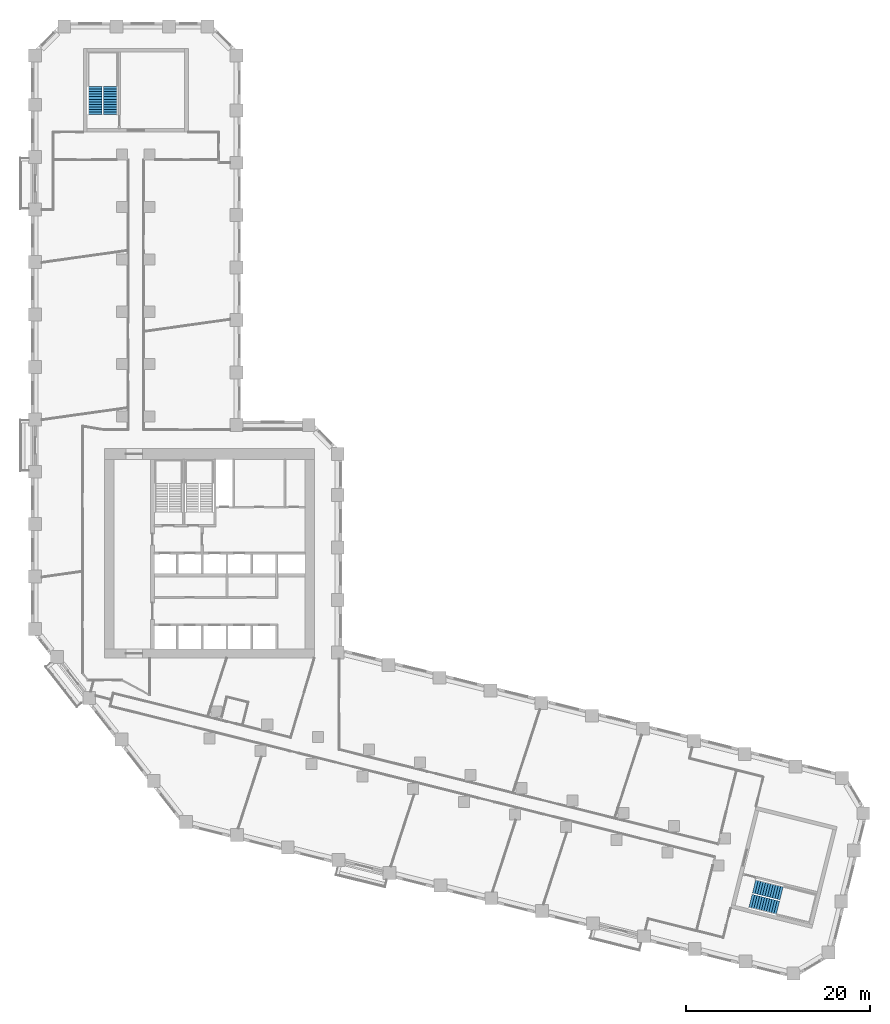
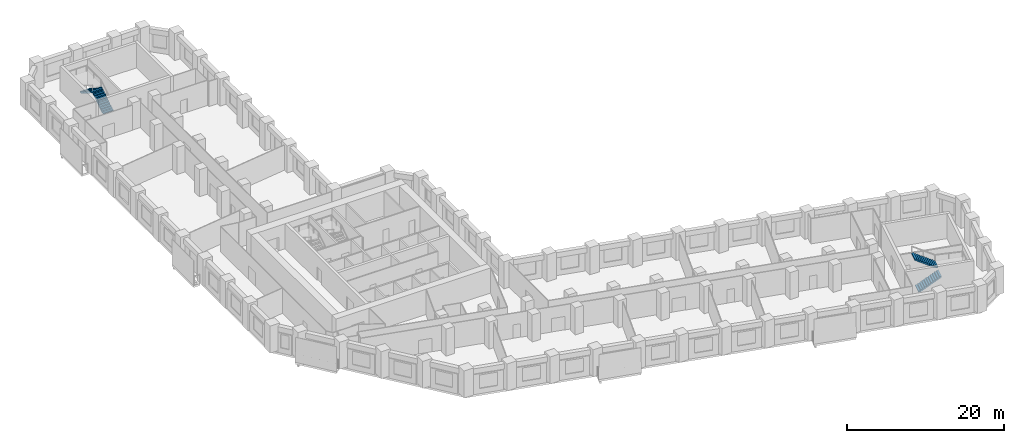
# One storey, part 11 of 12: 4 stair flights, 2 elements without a shape of their own.
"""IFC4 building model written with IfcOpenShell, lengths in metres."""

from ifc_helpers import new_model, si_unit, direction, frame, origin, place, context, subcontext, project, spatial, polyline, outline, extrude, material, type_object, element, aggregate, save


model = new_model("IFC4")

# Units and contexts
model_context = context("Model", 3, precision=1e-05, world=origin(), true_north=direction((0.0, 1.0)))
body_context = subcontext(model_context, "Body", "Model", "MODEL_VIEW")
ifc_project = project(units=[si_unit("LENGTHUNIT", "METRE"), si_unit("AREAUNIT", "SQUARE_METRE"), si_unit("VOLUMEUNIT", "CUBIC_METRE"), si_unit("PLANEANGLEUNIT", "RADIAN"), si_unit("MASSUNIT", "GRAM", prefix="KILO")], contexts=[model_context])

# Site, building, storey
site_placement = place(None, origin())
site = spatial("IfcSite", under=ifc_project, at=site_placement, CompositionType="ELEMENT")
building_placement = place(site_placement, origin())
building = spatial("IfcBuilding", under=site, at=building_placement, Name="Meshkara Civic Tower", CompositionType="ELEMENT")
storey_placement = place(building_placement, frame((0.0, 0.0, 62.39990234375)))
storey = spatial("IfcBuildingStorey", under=building, at=storey_placement, Name="L13", CompositionType="ELEMENT", Elevation=62.39990234375)

# Stair, stair flights
ifc_material_1 = material(Name="Precast concrete C40/50", Category="concrete")
stair_type = type_object("IfcStairType", Name="Exit stair half-turn 24 risers 1500 precast", PredefinedType="HALF_TURN_STAIR", material=ifc_material_1)
stair_1_placement = place(storey_placement, origin())
stair_1 = element("IfcStair", 1, at=stair_1_placement, inside=storey, type_object=stair_type, Name="L13 exit stair A from B2", PredefinedType="HALF_TURN_STAIR")
ifc_material_2 = material(Name="Precast concrete C40/50", Category="concrete")
stair_flight_type = type_object("IfcStairFlightType", Name="Exit stair flight 12 risers 1500 precast", PredefinedType="STRAIGHT", material=ifc_material_2)
stair_flight_1_placement = place(storey_placement, frame((8.625, 73.169921875, 0.0), z_axis=(0.0, 0.0, 1.0), x_axis=(0.0, 1.0, 0.0)))
stair_flight_1 = element("IfcStairFlight", 2, at=stair_flight_1_placement, type_object=stair_flight_type, Name="ESA1 flight 1", NumberOfRisers=12, NumberOfTreads=11, PredefinedType="STRAIGHT", RiserHeight=0.175, TreadLength=0.28, context=body_context, shape_type="SweptSolid", body=[
    extrude(outline(polyline([(0.0, 0.0), (0.0, 0.175048828125), (0.280029296875, 0.175048828125), (0.280029296875, 0.35009765625), (0.56005859375, 0.35009765625), (0.56005859375, 0.52490234375), (0.840087890625, 0.52490234375), (0.840087890625, 0.699951171875), (1.1201171875, 0.699951171875), (1.1201171875, 0.875), (1.39990234375, 0.875), (1.39990234375, 1.050048828125), (1.679931640625, 1.050048828125), (1.679931640625, 1.22509765625), (1.9599609375, 1.22509765625), (1.9599609375, 1.39990234375), (2.239990234375, 1.39990234375), (2.239990234375, 1.574951171875), (2.52001953125, 1.574951171875), (2.52001953125, 1.75), (2.800048828125, 1.75), (2.800048828125, 1.925048828125), (3.080078125, 1.925048828125), (3.080078125, 2.10009765625), (3.080078125, 1.748291015625), (0.28271484375, 0.0), (0.0, 0.0)])), frame((0.0, 0.75, 0.0), z_axis=(0.0, -1.0, 0.0), x_axis=(1.0, 0.0, 0.0)), (0.0, 0.0, 1.0), 1.5),
])
stair_flight_2_placement = place(storey_placement, frame((6.97509765625, 76.25, 2.10009765625), z_axis=(0.0, 0.0, 1.0), x_axis=(0.0, -1.0, 0.0)))
stair_flight_2 = element("IfcStairFlight", 3, at=stair_flight_2_placement, type_object=stair_flight_type, Name="ESA1 flight 2", NumberOfRisers=12, NumberOfTreads=11, PredefinedType="STRAIGHT", RiserHeight=0.175, TreadLength=0.28, context=body_context, shape_type="SweptSolid", body=[
    extrude(outline(polyline([(0.0, 0.0), (0.0, 0.175048828125), (0.280029296875, 0.175048828125), (0.280029296875, 0.35009765625), (0.56005859375, 0.35009765625), (0.56005859375, 0.52490234375), (0.840087890625, 0.52490234375), (0.840087890625, 0.699951171875), (1.1201171875, 0.699951171875), (1.1201171875, 0.875), (1.39990234375, 0.875), (1.39990234375, 1.050048828125), (1.679931640625, 1.050048828125), (1.679931640625, 1.22509765625), (1.9599609375, 1.22509765625), (1.9599609375, 1.39990234375), (2.239990234375, 1.39990234375), (2.239990234375, 1.574951171875), (2.52001953125, 1.574951171875), (2.52001953125, 1.75), (2.800048828125, 1.75), (2.800048828125, 1.925048828125), (3.080078125, 1.925048828125), (3.080078125, 2.10009765625), (3.080078125, 1.748291015625), (0.28271484375, 0.0), (0.0, 0.0)])), frame((0.0, 0.75, 0.0), z_axis=(0.0, -1.0, 0.0), x_axis=(1.0, 0.0, 0.0)), (0.0, 0.0, 1.0), 1.5),
])
aggregate(stair_1, [stair_flight_1, stair_flight_2])

stair_2_placement = place(storey_placement, origin())
stair_2 = element("IfcStair", 4, at=stair_2_placement, inside=storey, type_object=stair_type, Name="L13 exit stair B from B2", PredefinedType="HALF_TURN_STAIR")
stair_flight_3_placement = place(storey_placement, frame((78.214599609375, -12.3125, 0.0), z_axis=(0.0, 0.0, 1.0), x_axis=(0.970260066579, -0.242064873955, 0.0)))
stair_flight_3 = element("IfcStairFlight", 5, at=stair_flight_3_placement, type_object=stair_flight_type, Name="ESB1 flight 1", NumberOfRisers=12, NumberOfTreads=11, PredefinedType="STRAIGHT", RiserHeight=0.175, TreadLength=0.28, context=body_context, shape_type="SweptSolid", body=[
    extrude(outline(polyline([(0.0, 0.0), (0.0, 0.175048828125), (0.280029296875, 0.175048828125), (0.280029296875, 0.35009765625), (0.56005859375, 0.35009765625), (0.56005859375, 0.52490234375), (0.840087890625, 0.52490234375), (0.840087890625, 0.699951171875), (1.1201171875, 0.699951171875), (1.1201171875, 0.875), (1.39990234375, 0.875), (1.39990234375, 1.050048828125), (1.679931640625, 1.050048828125), (1.679931640625, 1.22509765625), (1.9599609375, 1.22509765625), (1.9599609375, 1.39990234375), (2.239990234375, 1.39990234375), (2.239990234375, 1.574951171875), (2.52001953125, 1.574951171875), (2.52001953125, 1.75), (2.800048828125, 1.75), (2.800048828125, 1.925048828125), (3.080078125, 1.925048828125), (3.080078125, 2.10009765625), (3.080078125, 1.748291015625), (0.28271484375, 0.0), (0.0, 0.0)])), frame((0.0, 0.75, 0.0), z_axis=(0.0, -1.0, 0.0), x_axis=(1.0, 0.0, 0.0)), (0.0, 0.0, 1.0), 1.5),
])
stair_flight_4_placement = place(storey_placement, frame((81.6025390625, -11.457275390625, 2.10009765625), z_axis=(0.0, 0.0, 1.0), x_axis=(-0.970260066579, 0.242064873955, 0.0)))
stair_flight_4 = element("IfcStairFlight", 6, at=stair_flight_4_placement, type_object=stair_flight_type, Name="ESB1 flight 2", NumberOfRisers=12, NumberOfTreads=11, PredefinedType="STRAIGHT", RiserHeight=0.175, TreadLength=0.28, context=body_context, shape_type="SweptSolid", body=[
    extrude(outline(polyline([(0.0, 0.0), (0.0, 0.175048828125), (0.280029296875, 0.175048828125), (0.280029296875, 0.35009765625), (0.56005859375, 0.35009765625), (0.56005859375, 0.52490234375), (0.840087890625, 0.52490234375), (0.840087890625, 0.699951171875), (1.1201171875, 0.699951171875), (1.1201171875, 0.875), (1.39990234375, 0.875), (1.39990234375, 1.050048828125), (1.679931640625, 1.050048828125), (1.679931640625, 1.22509765625), (1.9599609375, 1.22509765625), (1.9599609375, 1.39990234375), (2.239990234375, 1.39990234375), (2.239990234375, 1.574951171875), (2.52001953125, 1.574951171875), (2.52001953125, 1.75), (2.800048828125, 1.75), (2.800048828125, 1.925048828125), (3.080078125, 1.925048828125), (3.080078125, 2.10009765625), (3.080078125, 1.748291015625), (0.28271484375, 0.0), (0.0, 0.0)])), frame((0.0, 0.75, 0.0), z_axis=(0.0, -1.0, 0.0), x_axis=(1.0, 0.0, 0.0)), (0.0, 0.0, 1.0), 1.5),
])
aggregate(stair_2, [stair_flight_3, stair_flight_4])

save(model, "model.ifc")
